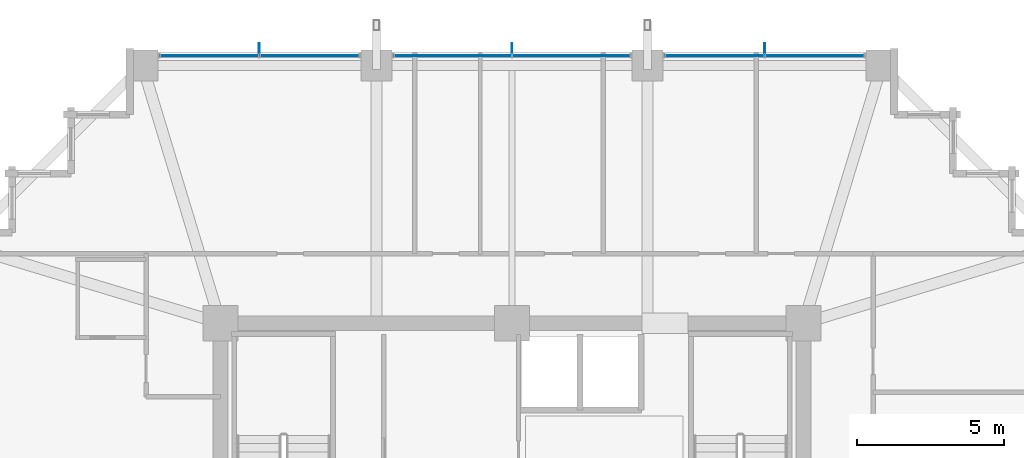
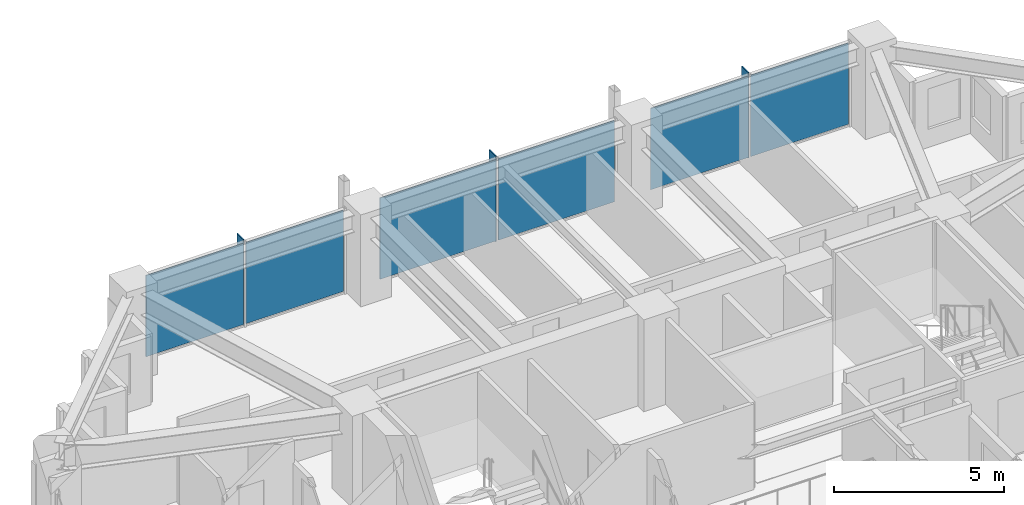
# One storey, part 28 of 35: 9 plates, 3 elements without a shape of their own.
"""IFC4 building model written with IfcOpenShell, lengths in metres."""

from ifc_helpers import new_model, si_unit, direction, frame, origin, origin_2d, place, context, subcontext, project, spatial, rectangle, extrude, material, layer, layer_set, type_object, element, aggregate, save


model = new_model("IFC4")

# Units and contexts
model_context = context("Model", 3, precision=1e-05, world=origin(), true_north=direction((0.0, 1.0)))
body_context = subcontext(model_context, "Body", "Model", "MODEL_VIEW")
ifc_project = project(units=[si_unit("LENGTHUNIT", "METRE"), si_unit("AREAUNIT", "SQUARE_METRE"), si_unit("VOLUMEUNIT", "CUBIC_METRE"), si_unit("PLANEANGLEUNIT", "RADIAN"), si_unit("MASSUNIT", "GRAM", prefix="KILO")], contexts=[model_context])

# Site, building, storey
site_placement = place(None, origin())
site = spatial("IfcSite", under=ifc_project, at=site_placement, CompositionType="ELEMENT")
building_placement = place(site_placement, origin())
building = spatial("IfcBuilding", under=site, at=building_placement, Name="Kolvaren Belvedere", CompositionType="ELEMENT")
storey_placement = place(building_placement, frame((0.0, 0.0, 115.10009765625)))
storey = spatial("IfcBuildingStorey", under=building, at=storey_placement, Name="L33", CompositionType="ELEMENT", Elevation=115.10009765625)

# Curtain wall, plates
ifc_material_1 = material(Name="Anodised pale-metal aluminium AA 6063-T6", Category="aluminium")
curtain_wall_type = type_object("IfcCurtainWallType", Name="CW-Z3-WAIST", PredefinedType="NOTDEFINED", material=ifc_material_1)
curtain_wall_1_placement = place(storey_placement, origin())
curtain_wall_1 = element("IfcCurtainWall", 1, at=curtain_wall_1_placement, inside=storey, type_object=curtain_wall_type, Name="L33 Unitised Curtain Wall FCW-L33-N-B1", PredefinedType="NOTDEFINED")
ifc_material_2 = material(Name="Low-iron triple insulated glass", Category="glass")
ifc_layer_1 = layer(ifc_material_2, 0.028076171875)
ifc_layer_set_1 = layer_set([ifc_layer_1], Name="Low-iron triple insulated glass")
plate_type_1 = type_object("IfcPlateType", Name="CW-PNL-VIS28", PredefinedType="CURTAIN_PANEL", material=ifc_layer_set_1)
plate_1_placement = place(storey_placement, frame((-10.273681640625, 18.97998046875, 0.079833984375), z_axis=(0.0, 0.0, 1.0), x_axis=(1.0, 0.0, 0.0)))
plate_1 = element("IfcPlate", 2, at=plate_1_placement, type_object=plate_type_1, Name="FCW-L33-N-B1 Vision Glazing Panel 1", PredefinedType="CURTAIN_PANEL", context=body_context, shape_type="SweptSolid", body=[
    extrude(rectangle(XDim=3.3173828125, YDim=0.028076171875, at=origin_2d()), origin(), (0.0, 0.0, 1.0), 2.919921875),
])
plate_2_placement = place(storey_placement, frame((-6.876220703125, 18.97998046875, 0.079833984375), z_axis=(0.0, 0.0, 1.0), x_axis=(1.0, 0.0, 0.0)))
plate_2 = element("IfcPlate", 3, at=plate_2_placement, type_object=plate_type_1, Name="FCW-L33-N-B1 Vision Glazing Panel 2", PredefinedType="CURTAIN_PANEL", context=body_context, shape_type="SweptSolid", body=[
    extrude(rectangle(XDim=3.3173828125, YDim=0.028076171875, at=origin_2d()), origin(), (0.0, 0.0, 1.0), 2.919921875),
])
aggregate(curtain_wall_1, [plate_1, plate_2])

curtain_wall_2_placement = place(storey_placement, origin())
curtain_wall_2 = element("IfcCurtainWall", 4, at=curtain_wall_2_placement, inside=storey, type_object=curtain_wall_type, Name="L33 Unitised Curtain Wall FCW-L33-N-B2", PredefinedType="NOTDEFINED")
plate_3_placement = place(storey_placement, frame((-2.01123046875, 18.97998046875, 0.079833984375), z_axis=(0.0, 0.0, 1.0), x_axis=(1.0, 0.0, 0.0)))
plate_3 = element("IfcPlate", 5, at=plate_3_placement, type_object=plate_type_1, Name="FCW-L33-N-B2 Vision Glazing Panel 1", PredefinedType="CURTAIN_PANEL", context=body_context, shape_type="SweptSolid", body=[
    extrude(rectangle(XDim=3.9423828125, YDim=0.028076171875, at=origin_2d()), origin(), (0.0, 0.0, 1.0), 2.919921875),
])
plate_4_placement = place(storey_placement, frame((2.01123046875, 18.97998046875, 0.079833984375), z_axis=(0.0, 0.0, 1.0), x_axis=(1.0, 0.0, 0.0)))
plate_4 = element("IfcPlate", 6, at=plate_4_placement, type_object=plate_type_1, Name="FCW-L33-N-B2 Vision Glazing Panel 2", PredefinedType="CURTAIN_PANEL", context=body_context, shape_type="SweptSolid", body=[
    extrude(rectangle(XDim=3.9423828125, YDim=0.028076171875, at=origin_2d()), origin(), (0.0, 0.0, 1.0), 2.919921875),
])
aggregate(curtain_wall_2, [plate_3, plate_4])

curtain_wall_3_placement = place(storey_placement, origin())
curtain_wall_3 = element("IfcCurtainWall", 7, at=curtain_wall_3_placement, inside=storey, type_object=curtain_wall_type, Name="L33 Unitised Curtain Wall FCW-L33-N-B3", PredefinedType="NOTDEFINED")
plate_5_placement = place(storey_placement, frame((6.876220703125, 18.97998046875, 0.079833984375), z_axis=(0.0, 0.0, 1.0), x_axis=(1.0, 0.0, 0.0)))
plate_5 = element("IfcPlate", 8, at=plate_5_placement, type_object=plate_type_1, Name="FCW-L33-N-B3 Vision Glazing Panel 1", PredefinedType="CURTAIN_PANEL", context=body_context, shape_type="SweptSolid", body=[
    extrude(rectangle(XDim=3.3173828125, YDim=0.028076171875, at=origin_2d()), origin(), (0.0, 0.0, 1.0), 2.919921875),
])
plate_6_placement = place(storey_placement, frame((10.273681640625, 18.97998046875, 0.079833984375), z_axis=(0.0, 0.0, 1.0), x_axis=(1.0, 0.0, 0.0)))
plate_6 = element("IfcPlate", 9, at=plate_6_placement, type_object=plate_type_1, Name="FCW-L33-N-B3 Vision Glazing Panel 2", PredefinedType="CURTAIN_PANEL", context=body_context, shape_type="SweptSolid", body=[
    extrude(rectangle(XDim=3.3173828125, YDim=0.028076171875, at=origin_2d()), origin(), (0.0, 0.0, 1.0), 2.919921875),
])
aggregate(curtain_wall_3, [plate_5, plate_6])

# Plates
ifc_material_3 = material(Name="Anodised pale-metal aluminium AA 6063-T6", Category="aluminium")
ifc_layer_2 = layer(ifc_material_3, 0.033935546875)
ifc_layer_set_2 = layer_set([ifc_layer_2], Name="Anodised pale-metal aluminium AA 6063-T6")
plate_type_2 = type_object("IfcPlateType", Name="FIN-VERT-380", PredefinedType="USERDEFINED", material=ifc_layer_set_2)
for number, where, z_axis, x_axis, name in (
    (10, (-8.574951171875, 19.219970703125, -0.000244140625), (0.0, 0.0, 1.0), (0.0, 1.0, 0.0), "L33 Pale-Metal Vertical Shading Fin FCW-L33-N-B1-1"),
    (11, (0.0, 19.219970703125, -0.000244140625), (0.0, 0.0, 1.0), (0.0, 1.0, 0.0), "L33 Pale-Metal Vertical Shading Fin FCW-L33-N-B2-1"),
    (12, (8.574951171875, 19.219970703125, -0.000244140625), (0.0, 0.0, 1.0), (0.0, 1.0, 0.0), "L33 Pale-Metal Vertical Shading Fin FCW-L33-N-B3-1"),
):
    element("IfcPlate", number, at=place(storey_placement, frame(where, z_axis=z_axis, x_axis=x_axis)), inside=storey, type_object=plate_type_2, Name=name, ObjectType="VERTICAL FIN", PredefinedType="USERDEFINED", context=body_context, shape_type="SweptSolid", body=[
        extrude(rectangle(XDim=0.3798828125, YDim=0.033935546875, at=origin_2d()), origin(), (0.0, 0.0, 1.0), 3.080078125),
    ])

save(model, "model.ifc")
